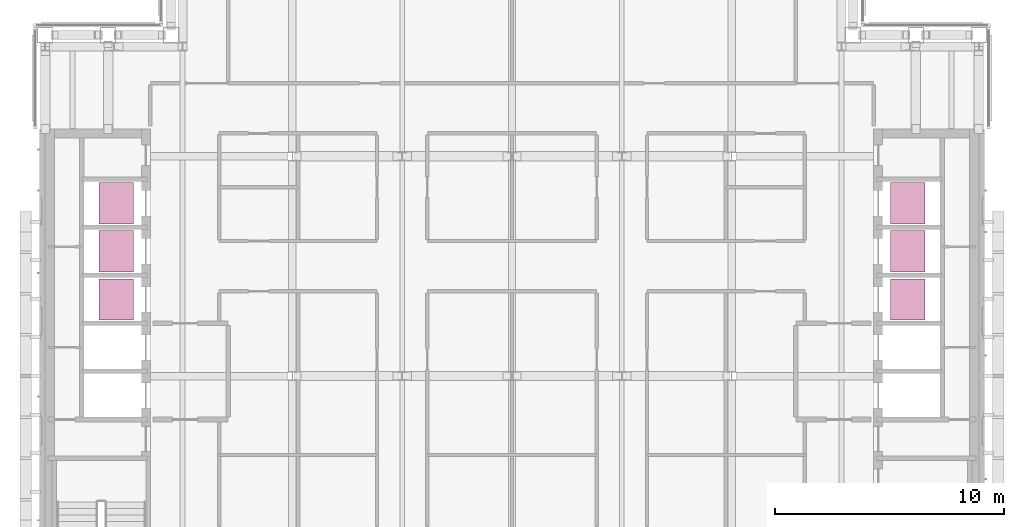
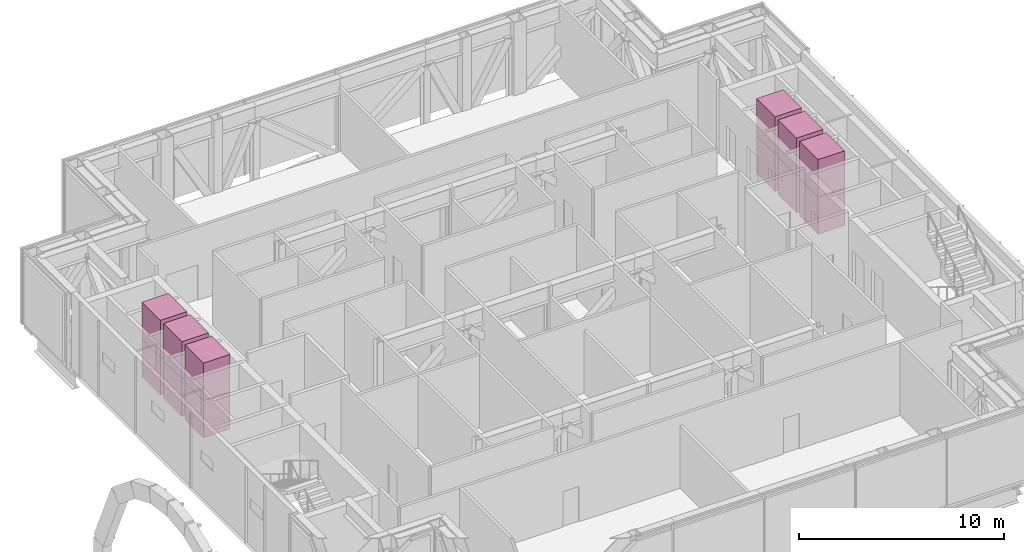
# One storey, part 26 of 26: 12 transport elements.
"""IFC4 building model written with IfcOpenShell, lengths in metres."""

from ifc_helpers import new_model, si_unit, direction, frame, origin, origin_2d, place, context, subcontext, project, spatial, rectangle, extrude, material, type_object, element, save


model = new_model("IFC4")

# Units and contexts
model_context = context("Model", 3, precision=1e-05, world=origin(), true_north=direction((0.0, 1.0)))
body_context = subcontext(model_context, "Body", "Model", "MODEL_VIEW")
ifc_project = project(units=[si_unit("LENGTHUNIT", "METRE"), si_unit("AREAUNIT", "SQUARE_METRE"), si_unit("VOLUMEUNIT", "CUBIC_METRE"), si_unit("PLANEANGLEUNIT", "RADIAN"), si_unit("MASSUNIT", "GRAM", prefix="KILO")], contexts=[model_context])

# Site, building, storey
site_placement = place(None, origin())
site = spatial("IfcSite", under=ifc_project, at=site_placement, CompositionType="ELEMENT")
building_placement = place(site_placement, origin())
building = spatial("IfcBuilding", under=site, at=building_placement, Name="Cobrizo Arcos Hotel Tower", CompositionType="ELEMENT")
storey_placement = place(building_placement, frame((0.0, 0.0, 236.5)))
storey = spatial("IfcBuildingStorey", under=building, at=storey_placement, Name="L62", CompositionType="ELEMENT", Elevation=236.5)

# Transport elements
ifc_material = material(Name="Stainless steel car", Category="steel")
transport_element_type = type_object("IfcTransportElementType", Name="Lift car High 1.8x1.5", PredefinedType="ELEVATOR", material=ifc_material)
for number, where, z_axis, x_axis, name in (
    (1, (-17.300048828125, 3.35009765625, 0.0), (0.0, 0.0, 1.0), (1.0, 0.0, 0.0), "High-rise passenger lift W1"),
    (2, (-17.300048828125, 3.35009765625, 2.224853515625), (0.0, 0.0, 1.0), (1.0, 0.0, 0.0), "High-rise passenger lift W1"),
    (3, (-17.300048828125, 5.449951171875, 0.0), (0.0, 0.0, 1.0), (1.0, 0.0, 0.0), "High-rise passenger lift W2"),
    (4, (-17.300048828125, 5.449951171875, 2.224853515625), (0.0, 0.0, 1.0), (1.0, 0.0, 0.0), "High-rise passenger lift W2"),
    (5, (-17.300048828125, 7.550048828125, 0.0), (0.0, 0.0, 1.0), (1.0, 0.0, 0.0), "High-rise passenger lift W3"),
    (6, (-17.300048828125, 7.550048828125, 2.224853515625), (0.0, 0.0, 1.0), (1.0, 0.0, 0.0), "High-rise passenger lift W3"),
    (7, (17.300048828125, 3.35009765625, 0.0), (0.0, 0.0, 1.0), (1.0, 0.0, 0.0), "High-rise passenger lift E1"),
    (8, (17.300048828125, 3.35009765625, 2.224853515625), (0.0, 0.0, 1.0), (1.0, 0.0, 0.0), "High-rise passenger lift E1"),
    (9, (17.300048828125, 5.449951171875, 0.0), (0.0, 0.0, 1.0), (1.0, 0.0, 0.0), "High-rise passenger lift E2"),
    (10, (17.300048828125, 5.449951171875, 2.224853515625), (0.0, 0.0, 1.0), (1.0, 0.0, 0.0), "High-rise passenger lift E2"),
    (11, (17.300048828125, 7.550048828125, 0.0), (0.0, 0.0, 1.0), (1.0, 0.0, 0.0), "High-rise passenger lift E3"),
    (12, (17.300048828125, 7.550048828125, 2.224853515625), (0.0, 0.0, 1.0), (1.0, 0.0, 0.0), "High-rise passenger lift E3"),
):
    element("IfcTransportElement", number, at=place(storey_placement, frame(where, z_axis=z_axis, x_axis=x_axis)), inside=storey, type_object=transport_element_type, Name=name, PredefinedType="ELEVATOR", context=body_context, shape_type="SweptSolid", body=[
        extrude(rectangle(XDim=1.5, YDim=1.800048828125, at=origin_2d()), origin(), (0.0, 0.0, 1.0), 2.22509765625),
    ])

save(model, "model.ifc")
